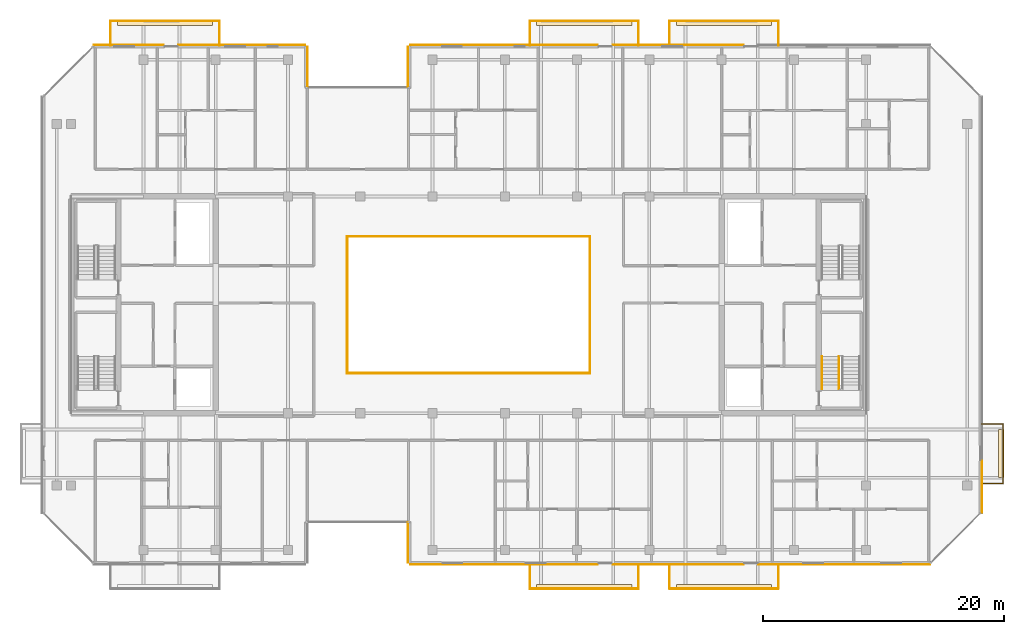
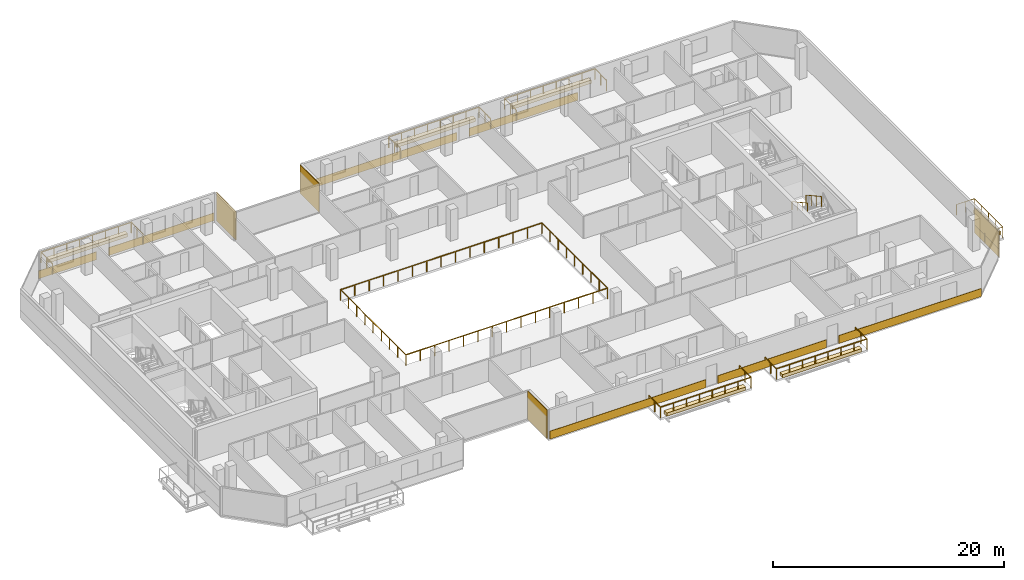
# One storey, part 27 of 28: 18 coverings, 10 railings.
"""IFC4 building model written with IfcOpenShell, lengths in metres."""

from ifc_helpers import new_model, si_unit, direction, frame, origin, origin_2d, place, context, subcontext, project, spatial, polyline, rectangle, outline, extrude, material, layer, layer_set, type_object, element, save


model = new_model("IFC4")

# Units and contexts
model_context = context("Model", 3, precision=1e-05, world=origin(), true_north=direction((0.0, 1.0)))
body_context = subcontext(model_context, "Body", "Model", "MODEL_VIEW")
ifc_project = project(units=[si_unit("LENGTHUNIT", "METRE"), si_unit("AREAUNIT", "SQUARE_METRE"), si_unit("VOLUMEUNIT", "CUBIC_METRE"), si_unit("PLANEANGLEUNIT", "RADIAN"), si_unit("MASSUNIT", "GRAM", prefix="KILO")], contexts=[model_context])

# Site, building, storey
site_placement = place(None, origin())
site = spatial("IfcSite", under=ifc_project, at=site_placement, CompositionType="ELEMENT")
building_placement = place(site_placement, origin())
building = spatial("IfcBuilding", under=site, at=building_placement, Name="Tanjung Sevakor Pilgrim Tower", CompositionType="ELEMENT")
storey_placement = place(building_placement, frame((0.0, 0.0, 222.75)))
storey = spatial("IfcBuildingStorey", under=building, at=storey_placement, Name="L62", CompositionType="ELEMENT", Elevation=222.75)

# Coverings
ifc_material_1 = material(Name="Reconstructed Limestone Cladding", Category="masonry")
ifc_layer_1 = layer(ifc_material_1, 0.044921875)
ifc_layer_set_1 = layer_set([ifc_layer_1], Name="COV-CLAD-LIMESTONE")
covering_type_1 = type_object("IfcCoveringType", Name="COV-CLAD-LIMESTONE", PredefinedType="CLADDING", material=ifc_layer_set_1)
covering_1_placement = place(storey_placement, frame((51.9775390625, 13.860107421875, 0.02001953125), z_axis=(0.0, 0.0, 1.0), x_axis=(0.0, -1.0, 0.0)))
element("IfcCovering", 1, at=covering_1_placement, inside=storey, type_object=covering_type_1, Name="L62 Warm Limestone Wall Cladding EW-L62-MAIN-4", PredefinedType="CLADDING", context=body_context, shape_type="SweptSolid", body=[
    extrude(rectangle(XDim=3.360107421875, YDim=0.044921875, at=origin_2d()), origin(), (0.0, 0.0, 1.0), 3.0400390625),
])
covering_2_placement = place(storey_placement, frame((59.945068359375, 12.027587890625, 0.009765625), z_axis=(0.0, 0.0, 1.0), x_axis=(1.0, 0.0, 0.0)))
element("IfcCovering", 2, at=covering_2_placement, inside=storey, type_object=covering_type_1, Name="L62 Warm Limestone Sill Spandrel EW-L62-MAIN-5-1", PredefinedType="CLADDING", context=body_context, shape_type="SweptSolid", body=[
    extrude(rectangle(XDim=15.590087890625, YDim=0.044921875, at=origin_2d()), origin(), (0.0, 0.0, 1.0), 0.840087890625),
])
covering_3_placement = place(storey_placement, frame((74.39990234375, 12.027587890625, 0.009765625), z_axis=(0.0, 0.0, 1.0), x_axis=(1.0, 0.0, 0.0)))
element("IfcCovering", 3, at=covering_3_placement, inside=storey, type_object=covering_type_1, Name="L62 Warm Limestone Sill Spandrel EW-L62-MAIN-5-2", PredefinedType="CLADDING", context=body_context, shape_type="SweptSolid", body=[
    extrude(rectangle(XDim=10.8798828125, YDim=0.044921875, at=origin_2d()), origin(), (0.0, 0.0, 1.0), 0.840087890625),
])
covering_4_placement = place(storey_placement, frame((88.187255859375, 12.027587890625, 0.009765625), z_axis=(0.0, 0.0, 1.0), x_axis=(1.0, 0.0, 0.0)))
element("IfcCovering", 4, at=covering_4_placement, inside=storey, type_object=covering_type_1, Name="L62 Warm Limestone Sill Spandrel EW-L62-MAIN-5-3", PredefinedType="CLADDING", context=body_context, shape_type="SweptSolid", body=[
    extrude(rectangle(XDim=14.25439453125, YDim=0.044921875, at=origin_2d()), origin(), (0.0, 0.0, 1.0), 0.840087890625),
])
covering_5_placement = place(storey_placement, frame((99.62255859375, 18.48779296875, 0.009765625), z_axis=(0.0, 0.0, 1.0), x_axis=(0.0, 1.0, 0.0)))
element("IfcCovering", 5, at=covering_5_placement, inside=storey, type_object=covering_type_1, Name="L62 Warm Limestone Sill Spandrel EW-L62-MAIN-7-1", PredefinedType="CLADDING", context=body_context, shape_type="SweptSolid", body=[
    extrude(rectangle(XDim=4.304443359375, YDim=0.044921875, at=origin_2d()), origin(), (0.0, 0.0, 1.0), 0.840087890625),
])
covering_6_placement = place(storey_placement, frame((99.62255859375, 18.492919921875, 0.849853515625), z_axis=(0.0, 0.0, 1.0), x_axis=(0.0, 1.0, 0.0)))
element("IfcCovering", 6, at=covering_6_placement, inside=storey, type_object=covering_type_1, Name="L62 Warm Limestone Pier Panel EW-L62-MAIN-7-1", PredefinedType="CLADDING", context=body_context, shape_type="SweptSolid", body=[
    extrude(rectangle(XDim=4.314453125, YDim=0.044921875, at=origin_2d()), origin(), (0.0, 0.0, 1.0), 1.81005859375),
])
covering_7_placement = place(storey_placement, frame((74.39990234375, 55.172607421875, 0.009765625), z_axis=(0.0, 0.0, 1.0), x_axis=(-1.0, 0.0, 0.0)))
element("IfcCovering", 7, at=covering_7_placement, inside=storey, type_object=covering_type_1, Name="L62 Warm Limestone Sill Spandrel EW-L62-MAIN-9-2", PredefinedType="CLADDING", context=body_context, shape_type="SweptSolid", body=[
    extrude(rectangle(XDim=10.8798828125, YDim=0.044921875, at=origin_2d()), origin(), (0.0, 0.0, 1.0), 0.840087890625),
])
covering_8_placement = place(storey_placement, frame((59.945068359375, 55.172607421875, 0.009765625), z_axis=(0.0, 0.0, 1.0), x_axis=(-1.0, 0.0, 0.0)))
element("IfcCovering", 8, at=covering_8_placement, inside=storey, type_object=covering_type_1, Name="L62 Warm Limestone Sill Spandrel EW-L62-MAIN-9-3", PredefinedType="CLADDING", context=body_context, shape_type="SweptSolid", body=[
    extrude(rectangle(XDim=15.590087890625, YDim=0.044921875, at=origin_2d()), origin(), (0.0, 0.0, 1.0), 0.840087890625),
])
for number, where, z_axis, x_axis, name in (
    (9, (51.9775390625, 53.340087890625, 0.02001953125), (0.0, 0.0, 1.0), (0.0, -1.0, 0.0), "L62 Warm Limestone Wall Cladding EW-L62-MAIN-10"),
    (10, (43.62255859375, 53.340087890625, 0.02001953125), (0.0, 0.0, 1.0), (0.0, 1.0, 0.0), "L62 Warm Limestone Wall Cladding EW-L62-MAIN-12"),
):
    element("IfcCovering", number, at=place(storey_placement, frame(where, z_axis=z_axis, x_axis=x_axis)), inside=storey, type_object=covering_type_1, Name=name, PredefinedType="CLADDING", context=body_context, shape_type="SweptSolid", body=[
        extrude(rectangle(XDim=3.360107421875, YDim=0.044921875, at=origin_2d()), origin(), (0.0, 0.0, 1.0), 3.0400390625),
    ])
covering_9_placement = place(storey_placement, frame((38.179931640625, 55.172607421875, 0.009765625), z_axis=(0.0, 0.0, 1.0), x_axis=(-1.0, 0.0, 0.0)))
element("IfcCovering", 11, at=covering_9_placement, inside=storey, type_object=covering_type_1, Name="L62 Warm Limestone Sill Spandrel EW-L62-MAIN-13-1", PredefinedType="CLADDING", context=body_context, shape_type="SweptSolid", body=[
    extrude(rectangle(XDim=10.5400390625, YDim=0.044921875, at=origin_2d()), origin(), (0.0, 0.0, 1.0), 0.840087890625),
])
covering_10_placement = place(storey_placement, frame((28.787841796875, 55.172607421875, 0.009765625), z_axis=(0.0, 0.0, 1.0), x_axis=(-1.0, 0.0, 0.0)))
element("IfcCovering", 12, at=covering_10_placement, inside=storey, type_object=covering_type_1, Name="L62 Warm Limestone Sill Spandrel EW-L62-MAIN-13-2", PredefinedType="CLADDING", context=body_context, shape_type="SweptSolid", body=[
    extrude(rectangle(XDim=5.804443359375, YDim=0.044921875, at=origin_2d()), origin(), (0.0, 0.0, 1.0), 0.840087890625),
])
ifc_material_2 = material(Name="Vegetated Modular Planter Assembly", Category="organic")
ifc_layer_2 = layer(ifc_material_2, 0.35009765625)
ifc_layer_set_2 = layer_set([ifc_layer_2], Name="COV-GRN-TROUGH")
covering_type_2 = type_object("IfcCoveringType", Name="COV-GRN-TROUGH", PredefinedType="CLADDING", material=ifc_layer_set_2)
covering_11_placement = place(storey_placement, origin())
element("IfcCovering", 13, at=covering_11_placement, inside=storey, type_object=covering_type_2, Name="L62 Planted Landscape Hedge Trough BGRN-L62-MAIN-N1", PredefinedType="CLADDING", context=body_context, shape_type="SweptSolid", body=[
    extrude(outline(polyline([(27.85009765625, 56.81005859375), (35.75, 56.81005859375), (35.75, 57.25), (27.85009765625, 57.25), (27.85009765625, 56.81005859375)])), origin(), (0.0, 0.0, 1.0), 0.35009765625),
])
covering_12_placement = place(storey_placement, origin())
element("IfcCovering", 14, at=covering_12_placement, inside=storey, type_object=covering_type_2, Name="L62 Planted Landscape Hedge Trough BGRN-L62-MAIN-S2", PredefinedType="CLADDING", context=body_context, shape_type="SweptSolid", body=[
    extrude(outline(polyline([(62.64990234375, 9.949951171875), (70.550048828125, 9.949951171875), (70.550048828125, 10.389892578125), (62.64990234375, 10.389892578125), (62.64990234375, 9.949951171875)])), origin(), (0.0, 0.0, 1.0), 0.35009765625),
])
covering_13_placement = place(storey_placement, origin())
element("IfcCovering", 15, at=covering_13_placement, inside=storey, type_object=covering_type_2, Name="L62 Planted Landscape Hedge Trough BGRN-L62-MAIN-N2", PredefinedType="CLADDING", context=body_context, shape_type="SweptSolid", body=[
    extrude(outline(polyline([(62.64990234375, 56.81005859375), (70.550048828125, 56.81005859375), (70.550048828125, 57.25), (62.64990234375, 57.25), (62.64990234375, 56.81005859375)])), origin(), (0.0, 0.0, 1.0), 0.35009765625),
])
covering_14_placement = place(storey_placement, origin())
element("IfcCovering", 16, at=covering_14_placement, inside=storey, type_object=covering_type_2, Name="L62 Planted Landscape Hedge Trough BGRN-L62-MAIN-S3", PredefinedType="CLADDING", context=body_context, shape_type="SweptSolid", body=[
    extrude(outline(polyline([(74.25, 9.949951171875), (82.14990234375, 9.949951171875), (82.14990234375, 10.389892578125), (74.25, 10.389892578125), (74.25, 9.949951171875)])), origin(), (0.0, 0.0, 1.0), 0.35009765625),
])
covering_15_placement = place(storey_placement, origin())
element("IfcCovering", 17, at=covering_15_placement, inside=storey, type_object=covering_type_2, Name="L62 Planted Landscape Hedge Trough BGRN-L62-MAIN-N3", PredefinedType="CLADDING", context=body_context, shape_type="SweptSolid", body=[
    extrude(outline(polyline([(74.25, 56.81005859375), (82.14990234375, 56.81005859375), (82.14990234375, 57.25), (74.25, 57.25), (74.25, 56.81005859375)])), origin(), (0.0, 0.0, 1.0), 0.35009765625),
])
covering_16_placement = place(storey_placement, origin())
element("IfcCovering", 18, at=covering_16_placement, inside=storey, type_object=covering_type_2, Name="L62 Planted Landscape Hedge Trough BGRN-L62-MAIN-E1", PredefinedType="CLADDING", context=body_context, shape_type="SweptSolid", body=[
    extrude(outline(polyline([(101.449951171875, 19.25), (101.449951171875, 23.25), (101.010009765625, 23.25), (101.010009765625, 19.25), (101.449951171875, 19.25)])), origin(), (0.0, 0.0, 1.0), 0.35009765625),
])

# Railings
ifc_material_3 = material(Name="Laminated Glass and Aluminium", Category="aluminium")
railing_type_1 = type_object("IfcRailingType", Name="RL-BAL-BALUST", PredefinedType="BALUSTRADE", material=ifc_material_3)
railing_1_placement = place(storey_placement, frame((46.919921875, 27.919921875, 0.0)))
element("IfcRailing", 19, at=railing_1_placement, inside=storey, type_object=railing_type_1, Name="L62 Void Opening Balustrade 1A", PredefinedType="BALUSTRADE", context=body_context, shape_type="SweptSolid", body=[
    extrude(rectangle(XDim=0.0479, YDim=0.0479), frame((0.0, 0.0, 1.1259765625), z_axis=(1.0, 0.0, 0.0), x_axis=(0.0, 1.0, 0.0)), (0.0, 0.0, 1.0), 20.16015625),
    extrude(rectangle(XDim=0.0479, YDim=0.0479), frame((20.16015625, 0.0, 1.1259765625), z_axis=(0.0, 1.0, 0.0), x_axis=(-1.0, 0.0, 0.0)), (0.0, 0.0, 1.0), 11.360107421875),
    extrude(rectangle(XDim=0.042, YDim=0.042), origin(), (0.0, 0.0, 1.0), 1.101806640625),
    extrude(rectangle(XDim=0.042, YDim=0.042), frame((1.43994140625, 0.0, 0.0)), (0.0, 0.0, 1.0), 1.101806640625),
    extrude(rectangle(XDim=0.042, YDim=0.042), frame((2.880126953125, 0.0, 0.0)), (0.0, 0.0, 1.0), 1.101806640625),
    extrude(rectangle(XDim=0.042, YDim=0.042), frame((4.320068359375, 0.0, 0.0)), (0.0, 0.0, 1.0), 1.101806640625),
    extrude(rectangle(XDim=0.042, YDim=0.042), frame((5.760009765625, 0.0, 0.0)), (0.0, 0.0, 1.0), 1.101806640625),
    extrude(rectangle(XDim=0.042, YDim=0.042), frame((7.199951171875, 0.0, 0.0)), (0.0, 0.0, 1.0), 1.101806640625),
    extrude(rectangle(XDim=0.042, YDim=0.042), frame((8.64013671875, 0.0, 0.0)), (0.0, 0.0, 1.0), 1.101806640625),
    extrude(rectangle(XDim=0.042, YDim=0.042), frame((10.080078125, 0.0, 0.0)), (0.0, 0.0, 1.0), 1.101806640625),
    extrude(rectangle(XDim=0.042, YDim=0.042), frame((11.52001953125, 0.0, 0.0)), (0.0, 0.0, 1.0), 1.101806640625),
    extrude(rectangle(XDim=0.042, YDim=0.042), frame((12.960205078125, 0.0, 0.0)), (0.0, 0.0, 1.0), 1.101806640625),
    extrude(rectangle(XDim=0.042, YDim=0.042), frame((14.400146484375, 0.0, 0.0)), (0.0, 0.0, 1.0), 1.101806640625),
    extrude(rectangle(XDim=0.042, YDim=0.042), frame((15.840087890625, 0.0, 0.0)), (0.0, 0.0, 1.0), 1.101806640625),
    extrude(rectangle(XDim=0.042, YDim=0.042), frame((17.280029296875, 0.0, 0.0)), (0.0, 0.0, 1.0), 1.101806640625),
    extrude(rectangle(XDim=0.042, YDim=0.042), frame((18.72021484375, 0.0, 0.0)), (0.0, 0.0, 1.0), 1.101806640625),
    extrude(rectangle(XDim=0.042, YDim=0.042), frame((20.16015625, 0.0, 0.0)), (0.0, 0.0, 1.0), 1.101806640625),
    extrude(rectangle(XDim=0.042, YDim=0.042), frame((20.16015625, 1.419921875, 0.0)), (0.0, 0.0, 1.0), 1.101806640625),
    extrude(rectangle(XDim=0.042, YDim=0.042), frame((20.16015625, 2.840087890625, 0.0)), (0.0, 0.0, 1.0), 1.101806640625),
    extrude(rectangle(XDim=0.042, YDim=0.042), frame((20.16015625, 4.260009765625, 0.0)), (0.0, 0.0, 1.0), 1.101806640625),
    extrude(rectangle(XDim=0.042, YDim=0.042), frame((20.16015625, 5.68017578125, 0.0)), (0.0, 0.0, 1.0), 1.101806640625),
    extrude(rectangle(XDim=0.042, YDim=0.042), frame((20.16015625, 7.10009765625, 0.0)), (0.0, 0.0, 1.0), 1.101806640625),
    extrude(rectangle(XDim=0.042, YDim=0.042), frame((20.16015625, 8.52001953125, 0.0)), (0.0, 0.0, 1.0), 1.101806640625),
    extrude(rectangle(XDim=0.042, YDim=0.042), frame((20.16015625, 9.940185546875, 0.0)), (0.0, 0.0, 1.0), 1.101806640625),
    extrude(rectangle(XDim=0.042, YDim=0.042), frame((20.16015625, 11.360107421875, 0.0)), (0.0, 0.0, 1.0), 1.101806640625),
])
railing_2_placement = place(storey_placement, frame((67.080078125, 39.280029296875, 0.0)))
element("IfcRailing", 20, at=railing_2_placement, inside=storey, type_object=railing_type_1, Name="L62 Void Opening Balustrade 1B", PredefinedType="BALUSTRADE", context=body_context, shape_type="SweptSolid", body=[
    extrude(rectangle(XDim=0.0479, YDim=0.0479), frame((0.0, 0.0, 1.1259765625), z_axis=(-1.0, 0.0, 0.0), x_axis=(0.0, -1.0, 0.0)), (0.0, 0.0, 1.0), 20.16015625),
    extrude(rectangle(XDim=0.0479, YDim=0.0479), frame((-20.16015625, 0.0, 1.1259765625), z_axis=(0.0, -1.0, 0.0), x_axis=(1.0, 0.0, 0.0)), (0.0, 0.0, 1.0), 11.360107421875),
    extrude(rectangle(XDim=0.042, YDim=0.042), origin(), (0.0, 0.0, 1.0), 1.101806640625),
    extrude(rectangle(XDim=0.042, YDim=0.042), frame((-1.43994140625, 0.0, 0.0)), (0.0, 0.0, 1.0), 1.101806640625),
    extrude(rectangle(XDim=0.042, YDim=0.042), frame((-2.880126953125, 0.0, 0.0)), (0.0, 0.0, 1.0), 1.101806640625),
    extrude(rectangle(XDim=0.042, YDim=0.042), frame((-4.320068359375, 0.0, 0.0)), (0.0, 0.0, 1.0), 1.101806640625),
    extrude(rectangle(XDim=0.042, YDim=0.042), frame((-5.760009765625, 0.0, 0.0)), (0.0, 0.0, 1.0), 1.101806640625),
    extrude(rectangle(XDim=0.042, YDim=0.042), frame((-7.199951171875, 0.0, 0.0)), (0.0, 0.0, 1.0), 1.101806640625),
    extrude(rectangle(XDim=0.042, YDim=0.042), frame((-8.64013671875, 0.0, 0.0)), (0.0, 0.0, 1.0), 1.101806640625),
    extrude(rectangle(XDim=0.042, YDim=0.042), frame((-10.080078125, 0.0, 0.0)), (0.0, 0.0, 1.0), 1.101806640625),
    extrude(rectangle(XDim=0.042, YDim=0.042), frame((-11.52001953125, 0.0, 0.0)), (0.0, 0.0, 1.0), 1.101806640625),
    extrude(rectangle(XDim=0.042, YDim=0.042), frame((-12.960205078125, 0.0, 0.0)), (0.0, 0.0, 1.0), 1.101806640625),
    extrude(rectangle(XDim=0.042, YDim=0.042), frame((-14.400146484375, 0.0, 0.0)), (0.0, 0.0, 1.0), 1.101806640625),
    extrude(rectangle(XDim=0.042, YDim=0.042), frame((-15.840087890625, 0.0, 0.0)), (0.0, 0.0, 1.0), 1.101806640625),
    extrude(rectangle(XDim=0.042, YDim=0.042), frame((-17.280029296875, 0.0, 0.0)), (0.0, 0.0, 1.0), 1.101806640625),
    extrude(rectangle(XDim=0.042, YDim=0.042), frame((-18.72021484375, 0.0, 0.0)), (0.0, 0.0, 1.0), 1.101806640625),
    extrude(rectangle(XDim=0.042, YDim=0.042), frame((-20.16015625, 0.0, 0.0)), (0.0, 0.0, 1.0), 1.101806640625),
    extrude(rectangle(XDim=0.042, YDim=0.042), frame((-20.16015625, -1.419921875, 0.0)), (0.0, 0.0, 1.0), 1.101806640625),
    extrude(rectangle(XDim=0.042, YDim=0.042), frame((-20.16015625, -2.840087890625, 0.0)), (0.0, 0.0, 1.0), 1.101806640625),
    extrude(rectangle(XDim=0.042, YDim=0.042), frame((-20.16015625, -4.260009765625, 0.0)), (0.0, 0.0, 1.0), 1.101806640625),
    extrude(rectangle(XDim=0.042, YDim=0.042), frame((-20.16015625, -5.68017578125, 0.0)), (0.0, 0.0, 1.0), 1.101806640625),
    extrude(rectangle(XDim=0.042, YDim=0.042), frame((-20.16015625, -7.10009765625, 0.0)), (0.0, 0.0, 1.0), 1.101806640625),
    extrude(rectangle(XDim=0.042, YDim=0.042), frame((-20.16015625, -8.52001953125, 0.0)), (0.0, 0.0, 1.0), 1.101806640625),
    extrude(rectangle(XDim=0.042, YDim=0.042), frame((-20.16015625, -9.940185546875, 0.0)), (0.0, 0.0, 1.0), 1.101806640625),
    extrude(rectangle(XDim=0.042, YDim=0.042), frame((-20.16015625, -11.360107421875, 0.0)), (0.0, 0.0, 1.0), 1.101806640625),
])
railing_3_placement = place(storey_placement, frame((27.280029296875, 55.14990234375, 0.0)))
element("IfcRailing", 21, at=railing_3_placement, inside=storey, type_object=railing_type_1, Name="L62 Loggia Balustrade MAIN-N1", PredefinedType="BALUSTRADE", context=body_context, shape_type="SweptSolid", body=[
    extrude(rectangle(XDim=0.0479, YDim=0.0479), frame((0.0, 0.0, 1.1259765625), z_axis=(0.0, 1.0, 0.0), x_axis=(-1.0, 0.0, 0.0)), (0.0, 0.0, 1.0), 2.02001953125),
    extrude(rectangle(XDim=0.0479, YDim=0.0479), frame((0.0, 2.02001953125, 1.1259765625), z_axis=(1.0, 0.0, 0.0), x_axis=(0.0, 1.0, 0.0)), (0.0, 0.0, 1.0), 9.0400390625),
    extrude(rectangle(XDim=0.0479, YDim=0.0479), frame((9.0400390625, 2.02001953125, 1.1259765625), z_axis=(0.0, -1.0, 0.0), x_axis=(1.0, 0.0, 0.0)), (0.0, 0.0, 1.0), 2.02001953125),
    extrude(rectangle(XDim=0.042, YDim=0.042), origin(), (0.0, 0.0, 1.0), 1.101806640625),
    extrude(rectangle(XDim=0.042, YDim=0.042), frame((0.0, 1.010009765625, 0.0)), (0.0, 0.0, 1.0), 1.101806640625),
    extrude(rectangle(XDim=0.042, YDim=0.042), frame((0.0, 2.02001953125, 0.0)), (0.0, 0.0, 1.0), 1.101806640625),
    extrude(rectangle(XDim=0.042, YDim=0.042), frame((1.29150390625, 2.02001953125, 0.0)), (0.0, 0.0, 1.0), 1.101806640625),
    extrude(rectangle(XDim=0.042, YDim=0.042), frame((2.582763671875, 2.02001953125, 0.0)), (0.0, 0.0, 1.0), 1.101806640625),
    extrude(rectangle(XDim=0.042, YDim=0.042), frame((3.874267578125, 2.02001953125, 0.0)), (0.0, 0.0, 1.0), 1.101806640625),
    extrude(rectangle(XDim=0.042, YDim=0.042), frame((5.165771484375, 2.02001953125, 0.0)), (0.0, 0.0, 1.0), 1.101806640625),
    extrude(rectangle(XDim=0.042, YDim=0.042), frame((6.457275390625, 2.02001953125, 0.0)), (0.0, 0.0, 1.0), 1.101806640625),
    extrude(rectangle(XDim=0.042, YDim=0.042), frame((7.74853515625, 2.02001953125, 0.0)), (0.0, 0.0, 1.0), 1.101806640625),
    extrude(rectangle(XDim=0.042, YDim=0.042), frame((9.0400390625, 2.02001953125, 0.0)), (0.0, 0.0, 1.0), 1.101806640625),
    extrude(rectangle(XDim=0.042, YDim=0.042), frame((9.0400390625, 1.010009765625, 0.0)), (0.0, 0.0, 1.0), 1.101806640625),
    extrude(rectangle(XDim=0.042, YDim=0.042), frame((9.0400390625, 0.0, 0.0)), (0.0, 0.0, 1.0), 1.101806640625),
])
railing_4_placement = place(storey_placement, frame((62.080078125, 12.050048828125, 0.0)))
element("IfcRailing", 22, at=railing_4_placement, inside=storey, type_object=railing_type_1, Name="L62 Loggia Balustrade MAIN-S2", PredefinedType="BALUSTRADE", context=body_context, shape_type="SweptSolid", body=[
    extrude(rectangle(XDim=0.0479, YDim=0.0479), frame((0.0, 0.0, 1.1259765625), z_axis=(0.0, -1.0, 0.0), x_axis=(1.0, 0.0, 0.0)), (0.0, 0.0, 1.0), 2.02001953125),
    extrude(rectangle(XDim=0.0479, YDim=0.0479), frame((0.0, -2.02001953125, 1.1259765625), z_axis=(1.0, 0.0, 0.0), x_axis=(0.0, 1.0, 0.0)), (0.0, 0.0, 1.0), 9.0400390625),
    extrude(rectangle(XDim=0.0479, YDim=0.0479), frame((9.0400390625, -2.02001953125, 1.1259765625), z_axis=(0.0, 1.0, 0.0), x_axis=(-1.0, 0.0, 0.0)), (0.0, 0.0, 1.0), 2.02001953125),
    extrude(rectangle(XDim=0.042, YDim=0.042), origin(), (0.0, 0.0, 1.0), 1.101806640625),
    extrude(rectangle(XDim=0.042, YDim=0.042), frame((0.0, -1.010009765625, 0.0)), (0.0, 0.0, 1.0), 1.101806640625),
    extrude(rectangle(XDim=0.042, YDim=0.042), frame((0.0, -2.02001953125, 0.0)), (0.0, 0.0, 1.0), 1.101806640625),
    extrude(rectangle(XDim=0.042, YDim=0.042), frame((1.29150390625, -2.02001953125, 0.0)), (0.0, 0.0, 1.0), 1.101806640625),
    extrude(rectangle(XDim=0.042, YDim=0.042), frame((2.582763671875, -2.02001953125, 0.0)), (0.0, 0.0, 1.0), 1.101806640625),
    extrude(rectangle(XDim=0.042, YDim=0.042), frame((3.874267578125, -2.02001953125, 0.0)), (0.0, 0.0, 1.0), 1.101806640625),
    extrude(rectangle(XDim=0.042, YDim=0.042), frame((5.165771484375, -2.02001953125, 0.0)), (0.0, 0.0, 1.0), 1.101806640625),
    extrude(rectangle(XDim=0.042, YDim=0.042), frame((6.457275390625, -2.02001953125, 0.0)), (0.0, 0.0, 1.0), 1.101806640625),
    extrude(rectangle(XDim=0.042, YDim=0.042), frame((7.74853515625, -2.02001953125, 0.0)), (0.0, 0.0, 1.0), 1.101806640625),
    extrude(rectangle(XDim=0.042, YDim=0.042), frame((9.0400390625, -2.02001953125, 0.0)), (0.0, 0.0, 1.0), 1.101806640625),
    extrude(rectangle(XDim=0.042, YDim=0.042), frame((9.0400390625, -1.010009765625, 0.0)), (0.0, 0.0, 1.0), 1.101806640625),
    extrude(rectangle(XDim=0.042, YDim=0.042), frame((9.0400390625, 0.0, 0.0)), (0.0, 0.0, 1.0), 1.101806640625),
])
railing_5_placement = place(storey_placement, frame((62.080078125, 55.14990234375, 0.0)))
element("IfcRailing", 23, at=railing_5_placement, inside=storey, type_object=railing_type_1, Name="L62 Loggia Balustrade MAIN-N2", PredefinedType="BALUSTRADE", context=body_context, shape_type="SweptSolid", body=[
    extrude(rectangle(XDim=0.0479, YDim=0.0479), frame((0.0, 0.0, 1.1259765625), z_axis=(0.0, 1.0, 0.0), x_axis=(-1.0, 0.0, 0.0)), (0.0, 0.0, 1.0), 2.02001953125),
    extrude(rectangle(XDim=0.0479, YDim=0.0479), frame((0.0, 2.02001953125, 1.1259765625), z_axis=(1.0, 0.0, 0.0), x_axis=(0.0, 1.0, 0.0)), (0.0, 0.0, 1.0), 9.0400390625),
    extrude(rectangle(XDim=0.0479, YDim=0.0479), frame((9.0400390625, 2.02001953125, 1.1259765625), z_axis=(0.0, -1.0, 0.0), x_axis=(1.0, 0.0, 0.0)), (0.0, 0.0, 1.0), 2.02001953125),
    extrude(rectangle(XDim=0.042, YDim=0.042), origin(), (0.0, 0.0, 1.0), 1.101806640625),
    extrude(rectangle(XDim=0.042, YDim=0.042), frame((0.0, 1.010009765625, 0.0)), (0.0, 0.0, 1.0), 1.101806640625),
    extrude(rectangle(XDim=0.042, YDim=0.042), frame((0.0, 2.02001953125, 0.0)), (0.0, 0.0, 1.0), 1.101806640625),
    extrude(rectangle(XDim=0.042, YDim=0.042), frame((1.29150390625, 2.02001953125, 0.0)), (0.0, 0.0, 1.0), 1.101806640625),
    extrude(rectangle(XDim=0.042, YDim=0.042), frame((2.582763671875, 2.02001953125, 0.0)), (0.0, 0.0, 1.0), 1.101806640625),
    extrude(rectangle(XDim=0.042, YDim=0.042), frame((3.874267578125, 2.02001953125, 0.0)), (0.0, 0.0, 1.0), 1.101806640625),
    extrude(rectangle(XDim=0.042, YDim=0.042), frame((5.165771484375, 2.02001953125, 0.0)), (0.0, 0.0, 1.0), 1.101806640625),
    extrude(rectangle(XDim=0.042, YDim=0.042), frame((6.457275390625, 2.02001953125, 0.0)), (0.0, 0.0, 1.0), 1.101806640625),
    extrude(rectangle(XDim=0.042, YDim=0.042), frame((7.74853515625, 2.02001953125, 0.0)), (0.0, 0.0, 1.0), 1.101806640625),
    extrude(rectangle(XDim=0.042, YDim=0.042), frame((9.0400390625, 2.02001953125, 0.0)), (0.0, 0.0, 1.0), 1.101806640625),
    extrude(rectangle(XDim=0.042, YDim=0.042), frame((9.0400390625, 1.010009765625, 0.0)), (0.0, 0.0, 1.0), 1.101806640625),
    extrude(rectangle(XDim=0.042, YDim=0.042), frame((9.0400390625, 0.0, 0.0)), (0.0, 0.0, 1.0), 1.101806640625),
])
railing_6_placement = place(storey_placement, frame((73.679931640625, 12.050048828125, 0.0)))
element("IfcRailing", 24, at=railing_6_placement, inside=storey, type_object=railing_type_1, Name="L62 Loggia Balustrade MAIN-S3", PredefinedType="BALUSTRADE", context=body_context, shape_type="SweptSolid", body=[
    extrude(rectangle(XDim=0.0479, YDim=0.0479), frame((0.0, 0.0, 1.1259765625), z_axis=(0.0, -1.0, 0.0), x_axis=(1.0, 0.0, 0.0)), (0.0, 0.0, 1.0), 2.02001953125),
    extrude(rectangle(XDim=0.0479, YDim=0.0479), frame((0.0, -2.02001953125, 1.1259765625), z_axis=(1.0, 0.0, 0.0), x_axis=(0.0, 1.0, 0.0)), (0.0, 0.0, 1.0), 9.0400390625),
    extrude(rectangle(XDim=0.0479, YDim=0.0479), frame((9.0400390625, -2.02001953125, 1.1259765625), z_axis=(0.0, 1.0, 0.0), x_axis=(-1.0, 0.0, 0.0)), (0.0, 0.0, 1.0), 2.02001953125),
    extrude(rectangle(XDim=0.042, YDim=0.042), origin(), (0.0, 0.0, 1.0), 1.101806640625),
    extrude(rectangle(XDim=0.042, YDim=0.042), frame((0.0, -1.010009765625, 0.0)), (0.0, 0.0, 1.0), 1.101806640625),
    extrude(rectangle(XDim=0.042, YDim=0.042), frame((0.0, -2.02001953125, 0.0)), (0.0, 0.0, 1.0), 1.101806640625),
    extrude(rectangle(XDim=0.042, YDim=0.042), frame((1.29150390625, -2.02001953125, 0.0)), (0.0, 0.0, 1.0), 1.101806640625),
    extrude(rectangle(XDim=0.042, YDim=0.042), frame((2.582763671875, -2.02001953125, 0.0)), (0.0, 0.0, 1.0), 1.101806640625),
    extrude(rectangle(XDim=0.042, YDim=0.042), frame((3.874267578125, -2.02001953125, 0.0)), (0.0, 0.0, 1.0), 1.101806640625),
    extrude(rectangle(XDim=0.042, YDim=0.042), frame((5.165771484375, -2.02001953125, 0.0)), (0.0, 0.0, 1.0), 1.101806640625),
    extrude(rectangle(XDim=0.042, YDim=0.042), frame((6.457275390625, -2.02001953125, 0.0)), (0.0, 0.0, 1.0), 1.101806640625),
    extrude(rectangle(XDim=0.042, YDim=0.042), frame((7.74853515625, -2.02001953125, 0.0)), (0.0, 0.0, 1.0), 1.101806640625),
    extrude(rectangle(XDim=0.042, YDim=0.042), frame((9.0400390625, -2.02001953125, 0.0)), (0.0, 0.0, 1.0), 1.101806640625),
    extrude(rectangle(XDim=0.042, YDim=0.042), frame((9.0400390625, -1.010009765625, 0.0)), (0.0, 0.0, 1.0), 1.101806640625),
    extrude(rectangle(XDim=0.042, YDim=0.042), frame((9.0400390625, 0.0, 0.0)), (0.0, 0.0, 1.0), 1.101806640625),
])
railing_7_placement = place(storey_placement, frame((73.679931640625, 55.14990234375, 0.0)))
element("IfcRailing", 25, at=railing_7_placement, inside=storey, type_object=railing_type_1, Name="L62 Loggia Balustrade MAIN-N3", PredefinedType="BALUSTRADE", context=body_context, shape_type="SweptSolid", body=[
    extrude(rectangle(XDim=0.0479, YDim=0.0479), frame((0.0, 0.0, 1.1259765625), z_axis=(0.0, 1.0, 0.0), x_axis=(-1.0, 0.0, 0.0)), (0.0, 0.0, 1.0), 2.02001953125),
    extrude(rectangle(XDim=0.0479, YDim=0.0479), frame((0.0, 2.02001953125, 1.1259765625), z_axis=(1.0, 0.0, 0.0), x_axis=(0.0, 1.0, 0.0)), (0.0, 0.0, 1.0), 9.0400390625),
    extrude(rectangle(XDim=0.0479, YDim=0.0479), frame((9.0400390625, 2.02001953125, 1.1259765625), z_axis=(0.0, -1.0, 0.0), x_axis=(1.0, 0.0, 0.0)), (0.0, 0.0, 1.0), 2.02001953125),
    extrude(rectangle(XDim=0.042, YDim=0.042), origin(), (0.0, 0.0, 1.0), 1.101806640625),
    extrude(rectangle(XDim=0.042, YDim=0.042), frame((0.0, 1.010009765625, 0.0)), (0.0, 0.0, 1.0), 1.101806640625),
    extrude(rectangle(XDim=0.042, YDim=0.042), frame((0.0, 2.02001953125, 0.0)), (0.0, 0.0, 1.0), 1.101806640625),
    extrude(rectangle(XDim=0.042, YDim=0.042), frame((1.29150390625, 2.02001953125, 0.0)), (0.0, 0.0, 1.0), 1.101806640625),
    extrude(rectangle(XDim=0.042, YDim=0.042), frame((2.582763671875, 2.02001953125, 0.0)), (0.0, 0.0, 1.0), 1.101806640625),
    extrude(rectangle(XDim=0.042, YDim=0.042), frame((3.874267578125, 2.02001953125, 0.0)), (0.0, 0.0, 1.0), 1.101806640625),
    extrude(rectangle(XDim=0.042, YDim=0.042), frame((5.165771484375, 2.02001953125, 0.0)), (0.0, 0.0, 1.0), 1.101806640625),
    extrude(rectangle(XDim=0.042, YDim=0.042), frame((6.457275390625, 2.02001953125, 0.0)), (0.0, 0.0, 1.0), 1.101806640625),
    extrude(rectangle(XDim=0.042, YDim=0.042), frame((7.74853515625, 2.02001953125, 0.0)), (0.0, 0.0, 1.0), 1.101806640625),
    extrude(rectangle(XDim=0.042, YDim=0.042), frame((9.0400390625, 2.02001953125, 0.0)), (0.0, 0.0, 1.0), 1.101806640625),
    extrude(rectangle(XDim=0.042, YDim=0.042), frame((9.0400390625, 1.010009765625, 0.0)), (0.0, 0.0, 1.0), 1.101806640625),
    extrude(rectangle(XDim=0.042, YDim=0.042), frame((9.0400390625, 0.0, 0.0)), (0.0, 0.0, 1.0), 1.101806640625),
])
railing_8_placement = place(storey_placement, frame((99.60009765625, 18.780029296875, 0.0)))
element("IfcRailing", 26, at=railing_8_placement, inside=storey, type_object=railing_type_1, Name="L62 Loggia Balustrade MAIN-E1", PredefinedType="BALUSTRADE", context=body_context, shape_type="SweptSolid", body=[
    extrude(rectangle(XDim=0.0479, YDim=0.0479), frame((0.0, 0.0, 1.1259765625), z_axis=(1.0, 0.0, 0.0), x_axis=(0.0, 1.0, 0.0)), (0.0, 0.0, 1.0), 1.77001953125),
    extrude(rectangle(XDim=0.0479, YDim=0.0479), frame((1.77001953125, 0.0, 1.1259765625), z_axis=(0.0, 1.0, 0.0), x_axis=(-1.0, 0.0, 0.0)), (0.0, 0.0, 1.0), 4.93994140625),
    extrude(rectangle(XDim=0.0479, YDim=0.0479), frame((1.77001953125, 4.93994140625, 1.1259765625), z_axis=(-1.0, 0.0, 0.0), x_axis=(0.0, -1.0, 0.0)), (0.0, 0.0, 1.0), 1.77001953125),
    extrude(rectangle(XDim=0.042, YDim=0.042), origin(), (0.0, 0.0, 1.0), 1.101806640625),
    extrude(rectangle(XDim=0.042, YDim=0.042), frame((0.885009765625, 0.0, 0.0)), (0.0, 0.0, 1.0), 1.101806640625),
    extrude(rectangle(XDim=0.042, YDim=0.042), frame((1.77001953125, 0.0, 0.0)), (0.0, 0.0, 1.0), 1.101806640625),
    extrude(rectangle(XDim=0.042, YDim=0.042), frame((1.77001953125, 1.23486328125, 0.0)), (0.0, 0.0, 1.0), 1.101806640625),
    extrude(rectangle(XDim=0.042, YDim=0.042), frame((1.77001953125, 2.469970703125, 0.0)), (0.0, 0.0, 1.0), 1.101806640625),
    extrude(rectangle(XDim=0.042, YDim=0.042), frame((1.77001953125, 3.705078125, 0.0)), (0.0, 0.0, 1.0), 1.101806640625),
    extrude(rectangle(XDim=0.042, YDim=0.042), frame((1.77001953125, 4.93994140625, 0.0)), (0.0, 0.0, 1.0), 1.101806640625),
    extrude(rectangle(XDim=0.042, YDim=0.042), frame((0.885009765625, 4.93994140625, 0.0)), (0.0, 0.0, 1.0), 1.101806640625),
    extrude(rectangle(XDim=0.042, YDim=0.042), frame((0.0, 4.93994140625, 0.0)), (0.0, 0.0, 1.0), 1.101806640625),
])
ifc_material_4 = material(Name="Steel S355J2", Category="steel")
railing_type_2 = type_object("IfcRailingType", Name="RL-STAIR-GUARD", PredefinedType="GUARDRAIL", material=ifc_material_4)
railing_9_placement = place(storey_placement, frame((87.75, 29.300048828125, 1.81494140625)))
element("IfcRailing", 27, at=railing_9_placement, inside=storey, type_object=railing_type_2, Name="L62 TS-E1 stair guard 3", PredefinedType="GUARDRAIL", context=body_context, shape_type="SweptSolid", body=[
    extrude(rectangle(XDim=0.0479, YDim=0.0479), frame((0.0, 0.0, 1.076171875), z_axis=(0.0, -0.876197507361, 0.481952205197), x_axis=(1.0, 0.0, 0.0)), (0.0, 0.0, 1.0), 3.08154296875),
    extrude(rectangle(XDim=0.042, YDim=0.042), origin(), (0.0, 0.0, 1.0), 1.052001953125),
    extrude(rectangle(XDim=0.042, YDim=0.042), frame((0.0, -0.89990234375, 0.4951171875)), (0.0, 0.0, 1.0), 1.052001953125),
    extrude(rectangle(XDim=0.042, YDim=0.042), frame((0.0, -1.800048828125, 0.989990234375)), (0.0, 0.0, 1.0), 1.052001953125),
    extrude(rectangle(XDim=0.042, YDim=0.042), frame((0.0, -2.699951171875, 1.485107421875)), (0.0, 0.0, 1.0), 1.052001953125),
])
ifc_material_5 = material(Name="Steel S355J2", Category="steel")
railing_type_3 = type_object("IfcRailingType", Name="RL-STAIR-HAND", PredefinedType="HANDRAIL", material=ifc_material_5)
railing_10_placement = place(storey_placement, frame((86.35009765625, 29.300048828125, 1.81494140625)))
element("IfcRailing", 28, at=railing_10_placement, inside=storey, type_object=railing_type_3, Name="L62 TS-E1 stair handrail 2", PredefinedType="HANDRAIL", context=body_context, shape_type="SweptSolid", body=[
    extrude(rectangle(XDim=0.0479, YDim=0.0479), frame((0.0, 0.0, 0.8759765625), z_axis=(0.0, -0.876197507361, 0.481952205197), x_axis=(1.0, 0.0, 0.0)), (0.0, 0.0, 1.0), 3.08154296875),
    extrude(rectangle(XDim=0.042, YDim=0.042), origin(), (0.0, 0.0, 1.0), 0.851806640625),
    extrude(rectangle(XDim=0.042, YDim=0.042), frame((0.0, -0.89990234375, 0.4951171875)), (0.0, 0.0, 1.0), 0.851806640625),
    extrude(rectangle(XDim=0.042, YDim=0.042), frame((0.0, -1.800048828125, 0.989990234375)), (0.0, 0.0, 1.0), 0.851806640625),
    extrude(rectangle(XDim=0.042, YDim=0.042), frame((0.0, -2.699951171875, 1.485107421875)), (0.0, 0.0, 1.0), 0.851806640625),
])

save(model, "model.ifc")
